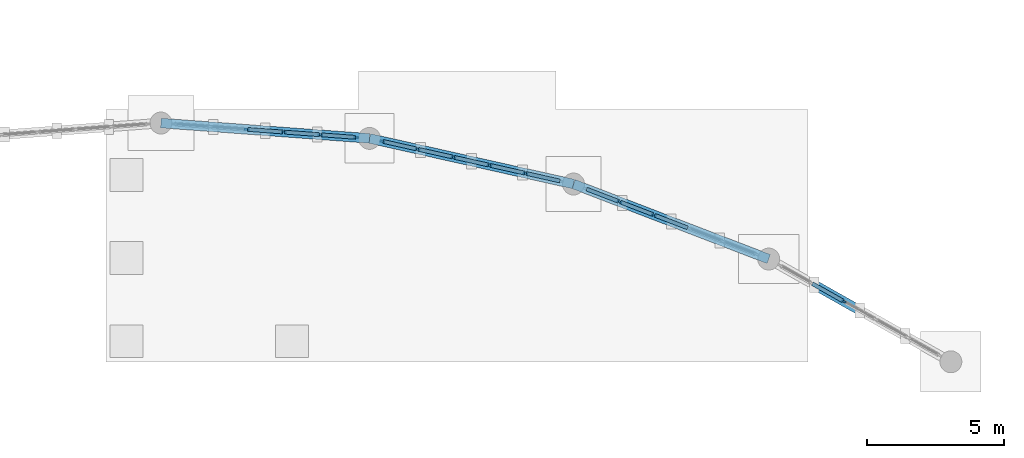
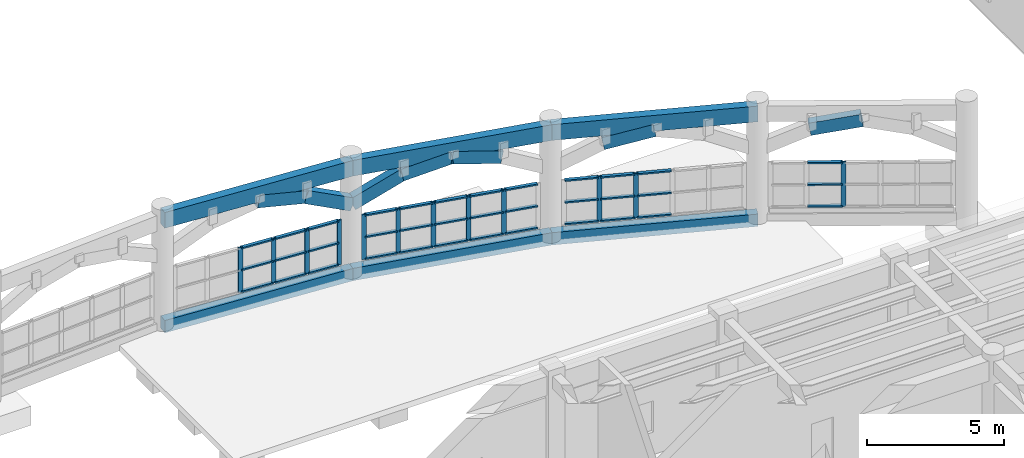
# One storey, part 32 of 100: 55 members, 6 beams, 4 elements without a shape of their own.
"""IFC4 building model written with IfcOpenShell, lengths in metres."""

from ifc_helpers import new_model, si_unit, direction, frame, origin, origin_2d, place, context, subcontext, project, spatial, rectangle, extrude, material, material_profile, profile_set, type_object, element, aggregate, save


model = new_model("IFC4")

# Units and contexts
model_context = context("Model", 3, precision=1e-05, world=origin(), true_north=direction((0.0, 1.0)))
body_context = subcontext(model_context, "Body", "Model", "MODEL_VIEW")
ifc_project = project(units=[si_unit("LENGTHUNIT", "METRE"), si_unit("AREAUNIT", "SQUARE_METRE"), si_unit("VOLUMEUNIT", "CUBIC_METRE"), si_unit("PLANEANGLEUNIT", "RADIAN"), si_unit("MASSUNIT", "GRAM", prefix="KILO")], contexts=[model_context])

# Site, building, storey
site_placement = place(None, origin())
site = spatial("IfcSite", under=ifc_project, at=site_placement, CompositionType="ELEMENT")
building_placement = place(site_placement, origin())
building = spatial("IfcBuilding", under=site, at=building_placement, Name="Mithqara Police Headquarters", CompositionType="ELEMENT")
storey_placement = place(building_placement, origin())
storey = spatial("IfcBuildingStorey", under=building, at=storey_placement, Name="L00", CompositionType="ELEMENT", Elevation=0.0)

# Members
ifc_material_1 = material(Name="Concrete C50/60", Category="concrete")
ifc_material_profile_1 = material_profile(ifc_material_1, rectangle(XDim=0.35009765625, YDim=0.550048828125, at=origin_2d()), Name="ARC 350x550")
ifc_profile_set_1 = profile_set([ifc_material_profile_1], Name="Concrete C50/60")
member_type_1 = type_object("IfcMemberType", Name="ARCH SEG 350X550", PredefinedType="STRUT", material=ifc_profile_set_1)
member_1_placement = place(storey_placement, frame((76.401611328125, 101.42431640625, 4.449951171875), z_axis=(0.977978805008, -0.071847402577, -0.195947461574), x_axis=(0.073267742061, 0.99731230714, 0.0)))
element("IfcMember", 1, at=member_1_placement, inside=storey, type_object=member_type_1, Name="Forecourt Colonnade Bay 5 Ottoman Arch Chord 3", PredefinedType="STRUT", context=body_context, shape_type="SweptSolid", body=[
    extrude(rectangle(XDim=0.35009765625, YDim=0.550048828125, at=origin_2d()), origin(), (0.0, 0.0, 1.0), 1.943603515625),
])
for number, where, z_axis, x_axis, name in (
    (2, (78.302490234375, 101.28466796875, 4.069091796875), (0.898306319308, -0.065994247964, -0.434385216054), (0.073267742061, 0.99731230714, 0.0), "Forecourt Colonnade Bay 5 Ottoman Arch Chord 4"),
    (3, (80.203369140625, 101.14501953125, 3.14990234375), (0.878970376857, -0.196724139215, 0.434408436449), (0.218408621026, 0.975857404676, 0.0), "Forecourt Colonnade Bay 6 Ottoman Arch Chord 1"),
):
    element("IfcMember", number, at=place(storey_placement, frame(where, z_axis=z_axis, x_axis=x_axis)), inside=storey, type_object=member_type_1, Name=name, PredefinedType="STRUT", context=body_context, shape_type="SweptSolid", body=[
        extrude(rectangle(XDim=0.35009765625, YDim=0.550048828125, at=origin_2d()), origin(), (0.0, 0.0, 1.0), 2.115966796875),
    ])
member_2_placement = place(storey_placement, frame((82.063232421875, 100.728759765625, 4.069091796875), z_axis=(0.956937397814, -0.214174095993, 0.195959876685), x_axis=(0.218408621026, 0.975857404676, 0.0)))
element("IfcMember", 4, at=member_2_placement, inside=storey, type_object=member_type_1, Name="Forecourt Colonnade Bay 6 Ottoman Arch Chord 2", PredefinedType="STRUT", context=body_context, shape_type="SweptSolid", body=[
    extrude(rectangle(XDim=0.35009765625, YDim=0.550048828125, at=origin_2d()), origin(), (0.0, 0.0, 1.0), 1.943603515625),
])
member_3_placement = place(storey_placement, frame((83.923095703125, 100.3125, 4.449951171875), z_axis=(0.956973714204, -0.21402850886, -0.195941592618), x_axis=(0.218259342229, 0.975890803077, 0.0)))
element("IfcMember", 5, at=member_3_placement, inside=storey, type_object=member_type_1, Name="Forecourt Colonnade Bay 6 Ottoman Arch Chord 3", PredefinedType="STRUT", context=body_context, shape_type="SweptSolid", body=[
    extrude(rectangle(XDim=0.35009765625, YDim=0.550048828125, at=origin_2d()), origin(), (0.0, 0.0, 1.0), 1.94384765625),
])
for number, where, z_axis, x_axis, name in (
    (6, (89.42236328125, 98.796630859375, 4.069091796875), (0.915362920353, -0.351724465073, 0.195960773398), (0.358678621144, 0.933461111528, 0.0), "Forecourt Colonnade Bay 7 Ottoman Arch Chord 2"),
    (7, (96.419921875, 95.809326171875, 4.069091796875), (0.854056117677, -0.481858989176, 0.195959338664), (0.491385969569, 0.870941920515, 0.0), "Forecourt Colonnade Bay 8 Ottoman Arch Chord 2"),
):
    element("IfcMember", number, at=place(storey_placement, frame(where, z_axis=z_axis, x_axis=x_axis)), inside=storey, type_object=member_type_1, Name=name, PredefinedType="STRUT", context=body_context, shape_type="SweptSolid", body=[
        extrude(rectangle(XDim=0.35009765625, YDim=0.550048828125, at=origin_2d()), origin(), (0.0, 0.0, 1.0), 1.943603515625),
    ])

# Beams
ifc_material_2 = material(Name="Concrete C40/50", Category="concrete")
ifc_material_profile_2 = material_profile(ifc_material_2, rectangle(XDim=0.35009765625, YDim=0.550048828125, at=origin_2d()), Name="RC 350x550")
ifc_profile_set_2 = profile_set([ifc_material_profile_2], Name="Concrete C40/50")
beam_type_1 = type_object("IfcBeamType", Name="BEAM RC350X550", PredefinedType="BEAM", material=ifc_profile_set_2)
beam_1_placement = place(storey_placement, frame((72.60009765625, 101.703857421875, 0.0400390625), z_axis=(0.997309794658, -0.07330193366, 0.0), x_axis=(0.07330193366, 0.997309794658, 0.0)))
element("IfcBeam", 8, at=beam_1_placement, inside=storey, type_object=beam_type_1, Name="Forecourt Colonnade Plinth Spandrel 5", PredefinedType="BEAM", context=body_context, shape_type="SweptSolid", body=[
    extrude(rectangle(XDim=0.35009765625, YDim=0.550048828125, at=origin_2d()), origin(), (0.0, 0.0, 1.0), 7.623779296875),
])
beam_2_placement = place(storey_placement, frame((80.203369140625, 101.14501953125, 0.0400390625), z_axis=(0.975867284048, -0.21836447496, 0.0), x_axis=(0.21836447496, 0.975867284048, 0.0)))
element("IfcBeam", 9, at=beam_2_placement, inside=storey, type_object=beam_type_1, Name="Forecourt Colonnade Plinth Spandrel 6", PredefinedType="BEAM", context=body_context, shape_type="SweptSolid", body=[
    extrude(rectangle(XDim=0.35009765625, YDim=0.550048828125, at=origin_2d()), origin(), (0.0, 0.0, 1.0), 7.6240234375),
])
beam_3_placement = place(storey_placement, frame((87.643310546875, 99.480224609375, 0.0400390625), z_axis=(0.933454509324, -0.358695802907, 0.0), x_axis=(0.358695802907, 0.933454509324, 0.0)))
element("IfcBeam", 10, at=beam_3_placement, inside=storey, type_object=beam_type_1, Name="Forecourt Colonnade Plinth Spandrel 7", PredefinedType="BEAM", context=body_context, shape_type="SweptSolid", body=[
    extrude(rectangle(XDim=0.35009765625, YDim=0.550048828125, at=origin_2d()), origin(), (0.0, 0.0, 1.0), 7.623779296875),
])

# Curtain wall, members
ifc_material_3 = material(Name="Bronze anodised aluminium 6063-T6", Category="aluminium")
curtain_wall_type = type_object("IfcCurtainWallType", Name="CURTAIN WALL 6725X2000", PredefinedType="USERDEFINED", material=ifc_material_3)
curtain_wall_1_placement = place(storey_placement, origin())
curtain_wall_1 = element("IfcCurtainWall", 11, at=curtain_wall_1_placement, inside=storey, type_object=curtain_wall_type, Name="L00 Unitised Glazing CW-11 (CW-ARC-L00-04-0)", ObjectType="UNITISED GLAZING", PredefinedType="USERDEFINED")
ifc_material_profile_3 = material_profile(ifc_material_3, rectangle(XDim=0.06494140625, YDim=0.179931640625, at=origin_2d()), Name="CWM 65x180")
ifc_profile_set_3 = profile_set([ifc_material_profile_3], Name="Bronze anodised aluminium 6063-T6")
member_type_2 = type_object("IfcMemberType", Name="CWMULLION 65X180", PredefinedType="MULLION", material=ifc_profile_set_3)
member_4_placement = place(storey_placement, frame((75.73095703125, 101.4736328125, 0.52001953125), z_axis=(0.0, 0.0, 1.0), x_axis=(0.073298163631, 0.997310071747, 0.0)))
member_4 = element("IfcMember", 12, at=member_4_placement, type_object=member_type_2, Name="CW-11 mullion 3", PredefinedType="MULLION", context=body_context, shape_type="SweptSolid", body=[
    extrude(rectangle(XDim=0.06494140625, YDim=0.179931640625, at=origin_2d()), origin(), (0.0, 0.0, 1.0), 2.0),
])
member_5_placement = place(storey_placement, frame((77.072265625, 101.375, 0.52001953125), z_axis=(0.0, 0.0, 1.0), x_axis=(0.073298163631, 0.997310071747, 0.0)))
member_5 = element("IfcMember", 13, at=member_5_placement, type_object=member_type_2, Name="CW-11 mullion 4", PredefinedType="MULLION", context=body_context, shape_type="SweptSolid", body=[
    extrude(rectangle(XDim=0.06494140625, YDim=0.179931640625, at=origin_2d()), origin(), (0.0, 0.0, 1.0), 2.0),
])
member_6_placement = place(storey_placement, frame((78.41357421875, 101.2763671875, 0.52001953125), z_axis=(0.0, 0.0, 1.0), x_axis=(0.073298163631, 0.997310071747, 0.0)))
member_6 = element("IfcMember", 14, at=member_6_placement, type_object=member_type_2, Name="CW-11 mullion 5", PredefinedType="MULLION", context=body_context, shape_type="SweptSolid", body=[
    extrude(rectangle(XDim=0.06494140625, YDim=0.179931640625, at=origin_2d()), origin(), (0.0, 0.0, 1.0), 2.0),
])
member_7_placement = place(storey_placement, frame((79.722412109375, 101.18017578125, 0.52001953125), z_axis=(0.0, 0.0, 1.0), x_axis=(0.073298163631, 0.997310071747, 0.0)))
member_7 = element("IfcMember", 15, at=member_7_placement, type_object=member_type_2, Name="CW-11 mullion 6", PredefinedType="MULLION", context=body_context, shape_type="SweptSolid", body=[
    extrude(rectangle(XDim=0.06494140625, YDim=0.179931640625, at=origin_2d()), origin(), (0.0, 0.0, 1.0), 2.0),
])

curtain_wall_2_placement = place(storey_placement, origin())
curtain_wall_2 = element("IfcCurtainWall", 16, at=curtain_wall_2_placement, inside=storey, type_object=curtain_wall_type, Name="L00 Unitised Glazing CW-11 (CW-ARC-L00-05-0)", ObjectType="UNITISED GLAZING", PredefinedType="USERDEFINED")
member_8_placement = place(storey_placement, frame((80.673828125, 101.03955078125, 0.52001953125), z_axis=(0.0, 0.0, 1.0), x_axis=(0.218334747306, 0.975873935567, 0.0)))
member_8 = element("IfcMember", 17, at=member_8_placement, type_object=member_type_2, Name="CW-11 mullion 1", PredefinedType="MULLION", context=body_context, shape_type="SweptSolid", body=[
    extrude(rectangle(XDim=0.06494140625, YDim=0.179931640625, at=origin_2d()), origin(), (0.0, 0.0, 1.0), 2.0),
])
member_9_placement = place(storey_placement, frame((81.95458984375, 100.753173828125, 0.52001953125), z_axis=(0.0, 0.0, 1.0), x_axis=(0.218334747306, 0.975873935567, 0.0)))
member_9 = element("IfcMember", 18, at=member_9_placement, type_object=member_type_2, Name="CW-11 mullion 2", PredefinedType="MULLION", context=body_context, shape_type="SweptSolid", body=[
    extrude(rectangle(XDim=0.06494140625, YDim=0.179931640625, at=origin_2d()), origin(), (0.0, 0.0, 1.0), 2.0),
])
member_10_placement = place(storey_placement, frame((83.26708984375, 100.45947265625, 0.52001953125), z_axis=(0.0, 0.0, 1.0), x_axis=(0.218334747306, 0.975873935567, 0.0)))
member_10 = element("IfcMember", 19, at=member_10_placement, type_object=member_type_2, Name="CW-11 mullion 3", PredefinedType="MULLION", context=body_context, shape_type="SweptSolid", body=[
    extrude(rectangle(XDim=0.06494140625, YDim=0.179931640625, at=origin_2d()), origin(), (0.0, 0.0, 1.0), 2.0),
])
member_11_placement = place(storey_placement, frame((84.57958984375, 100.165771484375, 0.52001953125), z_axis=(0.0, 0.0, 1.0), x_axis=(0.218334747306, 0.975873935567, 0.0)))
member_11 = element("IfcMember", 20, at=member_11_placement, type_object=member_type_2, Name="CW-11 mullion 4", PredefinedType="MULLION", context=body_context, shape_type="SweptSolid", body=[
    extrude(rectangle(XDim=0.06494140625, YDim=0.179931640625, at=origin_2d()), origin(), (0.0, 0.0, 1.0), 2.0),
])
member_12_placement = place(storey_placement, frame((85.891845703125, 99.8720703125, 0.52001953125), z_axis=(0.0, 0.0, 1.0), x_axis=(0.218334747306, 0.975873935567, 0.0)))
member_12 = element("IfcMember", 21, at=member_12_placement, type_object=member_type_2, Name="CW-11 mullion 5", PredefinedType="MULLION", context=body_context, shape_type="SweptSolid", body=[
    extrude(rectangle(XDim=0.06494140625, YDim=0.179931640625, at=origin_2d()), origin(), (0.0, 0.0, 1.0), 2.0),
])

curtain_wall_3_placement = place(storey_placement, origin())
curtain_wall_3 = element("IfcCurtainWall", 22, at=curtain_wall_3_placement, inside=storey, type_object=curtain_wall_type, Name="L00 Unitised Glazing CW-11 (CW-ARC-L00-06-0)", ObjectType="UNITISED GLAZING", PredefinedType="USERDEFINED")
member_13_placement = place(storey_placement, frame((89.318359375, 98.836669921875, 0.52001953125), z_axis=(0.0, 0.0, 1.0), x_axis=(0.358680114811, 0.933460537591, 0.0)))
member_13 = element("IfcMember", 23, at=member_13_placement, type_object=member_type_2, Name="CW-11 mullion 2", PredefinedType="MULLION", context=body_context, shape_type="SweptSolid", body=[
    extrude(rectangle(XDim=0.06494140625, YDim=0.179931640625, at=origin_2d()), origin(), (0.0, 0.0, 1.0), 2.0),
])
member_14_placement = place(storey_placement, frame((90.57373046875, 98.354248046875, 0.52001953125), z_axis=(0.0, 0.0, 1.0), x_axis=(0.358680114811, 0.933460537591, 0.0)))
member_14 = element("IfcMember", 24, at=member_14_placement, type_object=member_type_2, Name="CW-11 mullion 3", PredefinedType="MULLION", context=body_context, shape_type="SweptSolid", body=[
    extrude(rectangle(XDim=0.06494140625, YDim=0.179931640625, at=origin_2d()), origin(), (0.0, 0.0, 1.0), 2.0),
])

# Curtain wall, member
curtain_wall_4_placement = place(storey_placement, origin())
curtain_wall_4 = element("IfcCurtainWall", 25, at=curtain_wall_4_placement, inside=storey, type_object=curtain_wall_type, Name="L00 Unitised Glazing CW-11 (CW-ARC-L00-07-0)", ObjectType="UNITISED GLAZING", PredefinedType="USERDEFINED")
member_15_placement = place(storey_placement, frame((97.494140625, 95.203125, 0.52001953125), z_axis=(0.0, 0.0, 1.0), x_axis=(0.491315691036, 0.870981567969, 0.0)))
member_15 = element("IfcMember", 26, at=member_15_placement, type_object=member_type_2, Name="CW-11 mullion 3", PredefinedType="MULLION", context=body_context, shape_type="SweptSolid", body=[
    extrude(rectangle(XDim=0.06494140625, YDim=0.179931640625, at=origin_2d()), origin(), (0.0, 0.0, 1.0), 2.0),
])

# Member
ifc_material_profile_4 = material_profile(ifc_material_3, rectangle(XDim=0.139892578125, YDim=0.06494140625, at=origin_2d()), Name="CWT 140x65")
ifc_profile_set_4 = profile_set([ifc_material_profile_4], Name="Bronze anodised aluminium 6063-T6")
member_type_3 = type_object("IfcMemberType", Name="CWTRANSOM 140X65", PredefinedType="USERDEFINED", material=ifc_profile_set_4)
member_16_placement = place(storey_placement, frame((75.763427734375, 101.47119140625, 0.552490234375), z_axis=(0.997313366893, -0.073253315395, 0.0), x_axis=(0.073253315395, 0.997313366893, 0.0)))
member_16 = element("IfcMember", 27, at=member_16_placement, type_object=member_type_3, Name="CW-11 transom 3.1", ObjectType="TRANSOM", PredefinedType="USERDEFINED", context=body_context, shape_type="SweptSolid", body=[
    extrude(rectangle(XDim=0.139892578125, YDim=0.06494140625, at=origin_2d()), origin(), (0.0, 0.0, 1.0), 1.27978515625),
])

member_17_placement = place(storey_placement, frame((75.763427734375, 101.47119140625, 1.52001953125), z_axis=(0.997313366893, -0.073253315395, 0.0), x_axis=(0.073253315395, 0.997313366893, 0.0)))
member_17 = element("IfcMember", 28, at=member_17_placement, type_object=member_type_3, Name="CW-11 transom 3.2", ObjectType="TRANSOM", PredefinedType="USERDEFINED", context=body_context, shape_type="SweptSolid", body=[
    extrude(rectangle(XDim=0.139892578125, YDim=0.06494140625, at=origin_2d()), origin(), (0.0, 0.0, 1.0), 1.27978515625),
])

member_18_placement = place(storey_placement, frame((75.763427734375, 101.47119140625, 2.487548828125), z_axis=(0.997313366893, -0.073253315395, 0.0), x_axis=(0.073253315395, 0.997313366893, 0.0)))
member_18 = element("IfcMember", 29, at=member_18_placement, type_object=member_type_3, Name="CW-11 transom 3.3", ObjectType="TRANSOM", PredefinedType="USERDEFINED", context=body_context, shape_type="SweptSolid", body=[
    extrude(rectangle(XDim=0.139892578125, YDim=0.06494140625, at=origin_2d()), origin(), (0.0, 0.0, 1.0), 1.27978515625),
])

member_19_placement = place(storey_placement, frame((77.104736328125, 101.37255859375, 0.552490234375), z_axis=(0.997313366893, -0.073253315395, 0.0), x_axis=(0.073253315395, 0.997313366893, 0.0)))
member_19 = element("IfcMember", 30, at=member_19_placement, type_object=member_type_3, Name="CW-11 transom 4.1", ObjectType="TRANSOM", PredefinedType="USERDEFINED", context=body_context, shape_type="SweptSolid", body=[
    extrude(rectangle(XDim=0.139892578125, YDim=0.06494140625, at=origin_2d()), origin(), (0.0, 0.0, 1.0), 1.27978515625),
])

member_20_placement = place(storey_placement, frame((77.104736328125, 101.37255859375, 1.52001953125), z_axis=(0.997313366893, -0.073253315395, 0.0), x_axis=(0.073253315395, 0.997313366893, 0.0)))
member_20 = element("IfcMember", 31, at=member_20_placement, type_object=member_type_3, Name="CW-11 transom 4.2", ObjectType="TRANSOM", PredefinedType="USERDEFINED", context=body_context, shape_type="SweptSolid", body=[
    extrude(rectangle(XDim=0.139892578125, YDim=0.06494140625, at=origin_2d()), origin(), (0.0, 0.0, 1.0), 1.27978515625),
])

member_21_placement = place(storey_placement, frame((77.104736328125, 101.37255859375, 2.487548828125), z_axis=(0.997313366893, -0.073253315395, 0.0), x_axis=(0.073253315395, 0.997313366893, 0.0)))
member_21 = element("IfcMember", 32, at=member_21_placement, type_object=member_type_3, Name="CW-11 transom 4.3", ObjectType="TRANSOM", PredefinedType="USERDEFINED", context=body_context, shape_type="SweptSolid", body=[
    extrude(rectangle(XDim=0.139892578125, YDim=0.06494140625, at=origin_2d()), origin(), (0.0, 0.0, 1.0), 1.27978515625),
])

member_22_placement = place(storey_placement, frame((78.446044921875, 101.274169921875, 0.552490234375), z_axis=(0.997303414071, -0.073388693147, 0.0), x_axis=(0.073388693147, 0.997303414071, 0.0)))
member_22 = element("IfcMember", 33, at=member_22_placement, type_object=member_type_3, Name="CW-11 transom 5.1", ObjectType="TRANSOM", PredefinedType="USERDEFINED", context=body_context, shape_type="SweptSolid", body=[
    extrude(rectangle(XDim=0.139892578125, YDim=0.06494140625, at=origin_2d()), origin(), (0.0, 0.0, 1.0), 1.24755859375),
])

member_23_placement = place(storey_placement, frame((78.446044921875, 101.274169921875, 1.52001953125), z_axis=(0.997303414071, -0.073388693147, 0.0), x_axis=(0.073388693147, 0.997303414071, 0.0)))
member_23 = element("IfcMember", 34, at=member_23_placement, type_object=member_type_3, Name="CW-11 transom 5.2", ObjectType="TRANSOM", PredefinedType="USERDEFINED", context=body_context, shape_type="SweptSolid", body=[
    extrude(rectangle(XDim=0.139892578125, YDim=0.06494140625, at=origin_2d()), origin(), (0.0, 0.0, 1.0), 1.24755859375),
])

member_24_placement = place(storey_placement, frame((78.446044921875, 101.274169921875, 2.487548828125), z_axis=(0.997303414071, -0.073388693147, 0.0), x_axis=(0.073388693147, 0.997303414071, 0.0)))
member_24 = element("IfcMember", 35, at=member_24_placement, type_object=member_type_3, Name="CW-11 transom 5.3", ObjectType="TRANSOM", PredefinedType="USERDEFINED", context=body_context, shape_type="SweptSolid", body=[
    extrude(rectangle(XDim=0.139892578125, YDim=0.06494140625, at=origin_2d()), origin(), (0.0, 0.0, 1.0), 1.24755859375),
])

aggregate(curtain_wall_1, [member_4, member_5, member_6, member_7, member_16, member_17, member_18, member_19, member_20, member_21, member_22, member_23, member_24])

member_25_placement = place(storey_placement, frame((80.70556640625, 101.032470703125, 0.552490234375), z_axis=(0.975896050217, -0.218235879661, 0.0), x_axis=(0.218235879661, 0.975896050217, 0.0)))
member_25 = element("IfcMember", 36, at=member_25_placement, type_object=member_type_3, Name="CW-11 transom 1.1", ObjectType="TRANSOM", PredefinedType="USERDEFINED", context=body_context, shape_type="SweptSolid", body=[
    extrude(rectangle(XDim=0.139892578125, YDim=0.06494140625, at=origin_2d()), origin(), (0.0, 0.0, 1.0), 1.247314453125),
])

member_26_placement = place(storey_placement, frame((80.70556640625, 101.032470703125, 1.52001953125), z_axis=(0.975896050217, -0.218235879661, 0.0), x_axis=(0.218235879661, 0.975896050217, 0.0)))
member_26 = element("IfcMember", 37, at=member_26_placement, type_object=member_type_3, Name="CW-11 transom 1.2", ObjectType="TRANSOM", PredefinedType="USERDEFINED", context=body_context, shape_type="SweptSolid", body=[
    extrude(rectangle(XDim=0.139892578125, YDim=0.06494140625, at=origin_2d()), origin(), (0.0, 0.0, 1.0), 1.247314453125),
])

member_27_placement = place(storey_placement, frame((80.70556640625, 101.032470703125, 2.487548828125), z_axis=(0.975896050217, -0.218235879661, 0.0), x_axis=(0.218235879661, 0.975896050217, 0.0)))
member_27 = element("IfcMember", 38, at=member_27_placement, type_object=member_type_3, Name="CW-11 transom 1.3", ObjectType="TRANSOM", PredefinedType="USERDEFINED", context=body_context, shape_type="SweptSolid", body=[
    extrude(rectangle(XDim=0.139892578125, YDim=0.06494140625, at=origin_2d()), origin(), (0.0, 0.0, 1.0), 1.247314453125),
])

member_28_placement = place(storey_placement, frame((81.986328125, 100.745849609375, 0.552490234375), z_axis=(0.975898950823, -0.218222908472, 0.0), x_axis=(0.218222908472, 0.975898950823, 0.0)))
member_28 = element("IfcMember", 39, at=member_28_placement, type_object=member_type_3, Name="CW-11 transom 2.1", ObjectType="TRANSOM", PredefinedType="USERDEFINED", context=body_context, shape_type="SweptSolid", body=[
    extrude(rectangle(XDim=0.139892578125, YDim=0.06494140625, at=origin_2d()), origin(), (0.0, 0.0, 1.0), 1.27978515625),
])

member_29_placement = place(storey_placement, frame((81.986328125, 100.745849609375, 1.52001953125), z_axis=(0.975898950823, -0.218222908472, 0.0), x_axis=(0.218222908472, 0.975898950823, 0.0)))
member_29 = element("IfcMember", 40, at=member_29_placement, type_object=member_type_3, Name="CW-11 transom 2.2", ObjectType="TRANSOM", PredefinedType="USERDEFINED", context=body_context, shape_type="SweptSolid", body=[
    extrude(rectangle(XDim=0.139892578125, YDim=0.06494140625, at=origin_2d()), origin(), (0.0, 0.0, 1.0), 1.27978515625),
])

member_30_placement = place(storey_placement, frame((81.986328125, 100.745849609375, 2.487548828125), z_axis=(0.975898950823, -0.218222908472, 0.0), x_axis=(0.218222908472, 0.975898950823, 0.0)))
member_30 = element("IfcMember", 41, at=member_30_placement, type_object=member_type_3, Name="CW-11 transom 2.3", ObjectType="TRANSOM", PredefinedType="USERDEFINED", context=body_context, shape_type="SweptSolid", body=[
    extrude(rectangle(XDim=0.139892578125, YDim=0.06494140625, at=origin_2d()), origin(), (0.0, 0.0, 1.0), 1.27978515625),
])

member_31_placement = place(storey_placement, frame((83.298828125, 100.452392578125, 0.552490234375), z_axis=(0.975858311904, -0.218404567461, 0.0), x_axis=(0.218404567461, 0.975858311904, 0.0)))
member_31 = element("IfcMember", 42, at=member_31_placement, type_object=member_type_3, Name="CW-11 transom 3.1", ObjectType="TRANSOM", PredefinedType="USERDEFINED", context=body_context, shape_type="SweptSolid", body=[
    extrude(rectangle(XDim=0.139892578125, YDim=0.06494140625, at=origin_2d()), origin(), (0.0, 0.0, 1.0), 1.280029296875),
])

member_32_placement = place(storey_placement, frame((83.298828125, 100.452392578125, 1.52001953125), z_axis=(0.975858311904, -0.218404567461, 0.0), x_axis=(0.218404567461, 0.975858311904, 0.0)))
member_32 = element("IfcMember", 43, at=member_32_placement, type_object=member_type_3, Name="CW-11 transom 3.2", ObjectType="TRANSOM", PredefinedType="USERDEFINED", context=body_context, shape_type="SweptSolid", body=[
    extrude(rectangle(XDim=0.139892578125, YDim=0.06494140625, at=origin_2d()), origin(), (0.0, 0.0, 1.0), 1.280029296875),
])

member_33_placement = place(storey_placement, frame((83.298828125, 100.452392578125, 2.487548828125), z_axis=(0.975858311904, -0.218404567461, 0.0), x_axis=(0.218404567461, 0.975858311904, 0.0)))
member_33 = element("IfcMember", 44, at=member_33_placement, type_object=member_type_3, Name="CW-11 transom 3.3", ObjectType="TRANSOM", PredefinedType="USERDEFINED", context=body_context, shape_type="SweptSolid", body=[
    extrude(rectangle(XDim=0.139892578125, YDim=0.06494140625, at=origin_2d()), origin(), (0.0, 0.0, 1.0), 1.280029296875),
])

member_34_placement = place(storey_placement, frame((84.611083984375, 100.15869140625, 0.552490234375), z_axis=(0.975858311904, -0.218404567461, 0.0), x_axis=(0.218404567461, 0.975858311904, 0.0)))
member_34 = element("IfcMember", 45, at=member_34_placement, type_object=member_type_3, Name="CW-11 transom 4.1", ObjectType="TRANSOM", PredefinedType="USERDEFINED", context=body_context, shape_type="SweptSolid", body=[
    extrude(rectangle(XDim=0.139892578125, YDim=0.06494140625, at=origin_2d()), origin(), (0.0, 0.0, 1.0), 1.280029296875),
])

member_35_placement = place(storey_placement, frame((84.611083984375, 100.15869140625, 1.52001953125), z_axis=(0.975858311904, -0.218404567461, 0.0), x_axis=(0.218404567461, 0.975858311904, 0.0)))
member_35 = element("IfcMember", 46, at=member_35_placement, type_object=member_type_3, Name="CW-11 transom 4.2", ObjectType="TRANSOM", PredefinedType="USERDEFINED", context=body_context, shape_type="SweptSolid", body=[
    extrude(rectangle(XDim=0.139892578125, YDim=0.06494140625, at=origin_2d()), origin(), (0.0, 0.0, 1.0), 1.280029296875),
])

member_36_placement = place(storey_placement, frame((84.611083984375, 100.15869140625, 2.487548828125), z_axis=(0.975858311904, -0.218404567461, 0.0), x_axis=(0.218404567461, 0.975858311904, 0.0)))
member_36 = element("IfcMember", 47, at=member_36_placement, type_object=member_type_3, Name="CW-11 transom 4.3", ObjectType="TRANSOM", PredefinedType="USERDEFINED", context=body_context, shape_type="SweptSolid", body=[
    extrude(rectangle(XDim=0.139892578125, YDim=0.06494140625, at=origin_2d()), origin(), (0.0, 0.0, 1.0), 1.280029296875),
])

member_37_placement = place(storey_placement, frame((85.923583984375, 99.864990234375, 0.552490234375), z_axis=(0.975896050217, -0.218235879661, 0.0), x_axis=(0.218235879661, 0.975896050217, 0.0)))
member_37 = element("IfcMember", 48, at=member_37_placement, type_object=member_type_3, Name="CW-11 transom 5.1", ObjectType="TRANSOM", PredefinedType="USERDEFINED", context=body_context, shape_type="SweptSolid", body=[
    extrude(rectangle(XDim=0.139892578125, YDim=0.06494140625, at=origin_2d()), origin(), (0.0, 0.0, 1.0), 1.247314453125),
])

member_38_placement = place(storey_placement, frame((85.923583984375, 99.864990234375, 1.52001953125), z_axis=(0.975896050217, -0.218235879661, 0.0), x_axis=(0.218235879661, 0.975896050217, 0.0)))
member_38 = element("IfcMember", 49, at=member_38_placement, type_object=member_type_3, Name="CW-11 transom 5.2", ObjectType="TRANSOM", PredefinedType="USERDEFINED", context=body_context, shape_type="SweptSolid", body=[
    extrude(rectangle(XDim=0.139892578125, YDim=0.06494140625, at=origin_2d()), origin(), (0.0, 0.0, 1.0), 1.247314453125),
])

member_39_placement = place(storey_placement, frame((85.923583984375, 99.864990234375, 2.487548828125), z_axis=(0.975896050217, -0.218235879661, 0.0), x_axis=(0.218235879661, 0.975896050217, 0.0)))
member_39 = element("IfcMember", 50, at=member_39_placement, type_object=member_type_3, Name="CW-11 transom 5.3", ObjectType="TRANSOM", PredefinedType="USERDEFINED", context=body_context, shape_type="SweptSolid", body=[
    extrude(rectangle(XDim=0.139892578125, YDim=0.06494140625, at=origin_2d()), origin(), (0.0, 0.0, 1.0), 1.247314453125),
])

aggregate(curtain_wall_2, [member_8, member_9, member_10, member_11, member_12, member_25, member_26, member_27, member_28, member_29, member_30, member_31, member_32, member_33, member_34, member_35, member_36, member_37, member_38, member_39])

member_40_placement = place(storey_placement, frame((88.12353515625, 99.295654296875, 0.552490234375), z_axis=(0.933451481424, -0.358703682484, 0.0), x_axis=(0.358703682484, 0.933451481424, 0.0)))
member_40 = element("IfcMember", 51, at=member_40_placement, type_object=member_type_3, Name="CW-11 transom 1.1", ObjectType="TRANSOM", PredefinedType="USERDEFINED", context=body_context, shape_type="SweptSolid", body=[
    extrude(rectangle(XDim=0.139892578125, YDim=0.06494140625, at=origin_2d()), origin(), (0.0, 0.0, 1.0), 1.24755859375),
])

member_41_placement = place(storey_placement, frame((88.12353515625, 99.295654296875, 1.52001953125), z_axis=(0.933451481424, -0.358703682484, 0.0), x_axis=(0.358703682484, 0.933451481424, 0.0)))
member_41 = element("IfcMember", 52, at=member_41_placement, type_object=member_type_3, Name="CW-11 transom 1.2", ObjectType="TRANSOM", PredefinedType="USERDEFINED", context=body_context, shape_type="SweptSolid", body=[
    extrude(rectangle(XDim=0.139892578125, YDim=0.06494140625, at=origin_2d()), origin(), (0.0, 0.0, 1.0), 1.24755859375),
])

member_42_placement = place(storey_placement, frame((88.12353515625, 99.295654296875, 2.487548828125), z_axis=(0.933451481424, -0.358703682484, 0.0), x_axis=(0.358703682484, 0.933451481424, 0.0)))
member_42 = element("IfcMember", 53, at=member_42_placement, type_object=member_type_3, Name="CW-11 transom 1.3", ObjectType="TRANSOM", PredefinedType="USERDEFINED", context=body_context, shape_type="SweptSolid", body=[
    extrude(rectangle(XDim=0.139892578125, YDim=0.06494140625, at=origin_2d()), origin(), (0.0, 0.0, 1.0), 1.24755859375),
])

member_43_placement = place(storey_placement, frame((89.3486328125, 98.824951171875, 0.552490234375), z_axis=(0.933493008626, -0.358595597919, 0.0), x_axis=(0.358595597919, 0.933493008626, 0.0)))
member_43 = element("IfcMember", 54, at=member_43_placement, type_object=member_type_3, Name="CW-11 transom 2.1", ObjectType="TRANSOM", PredefinedType="USERDEFINED", context=body_context, shape_type="SweptSolid", body=[
    extrude(rectangle(XDim=0.139892578125, YDim=0.06494140625, at=origin_2d()), origin(), (0.0, 0.0, 1.0), 1.280029296875),
])

member_44_placement = place(storey_placement, frame((89.3486328125, 98.824951171875, 1.52001953125), z_axis=(0.933493008626, -0.358595597919, 0.0), x_axis=(0.358595597919, 0.933493008626, 0.0)))
member_44 = element("IfcMember", 55, at=member_44_placement, type_object=member_type_3, Name="CW-11 transom 2.2", ObjectType="TRANSOM", PredefinedType="USERDEFINED", context=body_context, shape_type="SweptSolid", body=[
    extrude(rectangle(XDim=0.139892578125, YDim=0.06494140625, at=origin_2d()), origin(), (0.0, 0.0, 1.0), 1.280029296875),
])

member_45_placement = place(storey_placement, frame((89.3486328125, 98.824951171875, 2.487548828125), z_axis=(0.933493008626, -0.358595597919, 0.0), x_axis=(0.358595597919, 0.933493008626, 0.0)))
member_45 = element("IfcMember", 56, at=member_45_placement, type_object=member_type_3, Name="CW-11 transom 2.3", ObjectType="TRANSOM", PredefinedType="USERDEFINED", context=body_context, shape_type="SweptSolid", body=[
    extrude(rectangle(XDim=0.139892578125, YDim=0.06494140625, at=origin_2d()), origin(), (0.0, 0.0, 1.0), 1.280029296875),
])

member_46_placement = place(storey_placement, frame((90.60400390625, 98.342529296875, 0.552490234375), z_axis=(0.933493008626, -0.358595597919, 0.0), x_axis=(0.358595597919, 0.933493008626, 0.0)))
member_46 = element("IfcMember", 57, at=member_46_placement, type_object=member_type_3, Name="CW-11 transom 3.1", ObjectType="TRANSOM", PredefinedType="USERDEFINED", context=body_context, shape_type="SweptSolid", body=[
    extrude(rectangle(XDim=0.139892578125, YDim=0.06494140625, at=origin_2d()), origin(), (0.0, 0.0, 1.0), 1.280029296875),
])

member_47_placement = place(storey_placement, frame((90.60400390625, 98.342529296875, 1.52001953125), z_axis=(0.933493008626, -0.358595597919, 0.0), x_axis=(0.358595597919, 0.933493008626, 0.0)))
member_47 = element("IfcMember", 58, at=member_47_placement, type_object=member_type_3, Name="CW-11 transom 3.2", ObjectType="TRANSOM", PredefinedType="USERDEFINED", context=body_context, shape_type="SweptSolid", body=[
    extrude(rectangle(XDim=0.139892578125, YDim=0.06494140625, at=origin_2d()), origin(), (0.0, 0.0, 1.0), 1.280029296875),
])

member_48_placement = place(storey_placement, frame((90.60400390625, 98.342529296875, 2.487548828125), z_axis=(0.933493008626, -0.358595597919, 0.0), x_axis=(0.358595597919, 0.933493008626, 0.0)))
member_48 = element("IfcMember", 59, at=member_48_placement, type_object=member_type_3, Name="CW-11 transom 3.3", ObjectType="TRANSOM", PredefinedType="USERDEFINED", context=body_context, shape_type="SweptSolid", body=[
    extrude(rectangle(XDim=0.139892578125, YDim=0.06494140625, at=origin_2d()), origin(), (0.0, 0.0, 1.0), 1.280029296875),
])

aggregate(curtain_wall_3, [member_13, member_14, member_40, member_41, member_42, member_43, member_44, member_45, member_46, member_47, member_48])

member_49_placement = place(storey_placement, frame((96.35107421875, 95.84814453125, 0.552490234375), z_axis=(0.870953350717, -0.49136570991, 0.0), x_axis=(0.49136570991, 0.870953350717, 0.0)))
member_49 = element("IfcMember", 60, at=member_49_placement, type_object=member_type_3, Name="CW-11 transom 2.1", ObjectType="TRANSOM", PredefinedType="USERDEFINED", context=body_context, shape_type="SweptSolid", body=[
    extrude(rectangle(XDim=0.139892578125, YDim=0.06494140625, at=origin_2d()), origin(), (0.0, 0.0, 1.0), 1.280029296875),
])

member_50_placement = place(storey_placement, frame((96.35107421875, 95.84814453125, 1.52001953125), z_axis=(0.870953350717, -0.49136570991, 0.0), x_axis=(0.49136570991, 0.870953350717, 0.0)))
member_50 = element("IfcMember", 61, at=member_50_placement, type_object=member_type_3, Name="CW-11 transom 2.2", ObjectType="TRANSOM", PredefinedType="USERDEFINED", context=body_context, shape_type="SweptSolid", body=[
    extrude(rectangle(XDim=0.139892578125, YDim=0.06494140625, at=origin_2d()), origin(), (0.0, 0.0, 1.0), 1.280029296875),
])

member_51_placement = place(storey_placement, frame((96.35107421875, 95.84814453125, 2.487548828125), z_axis=(0.870953350717, -0.49136570991, 0.0), x_axis=(0.49136570991, 0.870953350717, 0.0)))
member_51 = element("IfcMember", 62, at=member_51_placement, type_object=member_type_3, Name="CW-11 transom 2.3", ObjectType="TRANSOM", PredefinedType="USERDEFINED", context=body_context, shape_type="SweptSolid", body=[
    extrude(rectangle(XDim=0.139892578125, YDim=0.06494140625, at=origin_2d()), origin(), (0.0, 0.0, 1.0), 1.280029296875),
])

aggregate(curtain_wall_4, [member_15, member_49, member_50, member_51])

# Beams
ifc_material_profile_5 = material_profile(ifc_material_2, rectangle(XDim=0.35009765625, YDim=0.699951171875, at=origin_2d()), Name="SPB 350x700")
ifc_profile_set_5 = profile_set([ifc_material_profile_5], Name="Concrete C40/50")
beam_type_2 = type_object("IfcBeamType", Name="SPANDREL 350X700", PredefinedType="SPANDREL", material=ifc_profile_set_5)
beam_4_placement = place(storey_placement, frame((72.60009765625, 101.703857421875, 4.77001953125), z_axis=(0.997309794658, -0.07330193366, 0.0), x_axis=(0.07330193366, 0.997309794658, 0.0)))
element("IfcBeam", 63, at=beam_4_placement, inside=storey, type_object=beam_type_2, Name="L00 Swept Arcade Ring Spandrel 5", PredefinedType="SPANDREL", context=body_context, shape_type="SweptSolid", body=[
    extrude(rectangle(XDim=0.35009765625, YDim=0.699951171875, at=origin_2d()), origin(), (0.0, 0.0, 1.0), 7.623779296875),
])
beam_5_placement = place(storey_placement, frame((80.203369140625, 101.14501953125, 4.77001953125), z_axis=(0.975867284048, -0.21836447496, 0.0), x_axis=(0.21836447496, 0.975867284048, 0.0)))
element("IfcBeam", 64, at=beam_5_placement, inside=storey, type_object=beam_type_2, Name="L00 Swept Arcade Ring Spandrel 6", PredefinedType="SPANDREL", context=body_context, shape_type="SweptSolid", body=[
    extrude(rectangle(XDim=0.35009765625, YDim=0.699951171875, at=origin_2d()), origin(), (0.0, 0.0, 1.0), 7.6240234375),
])
beam_6_placement = place(storey_placement, frame((87.643310546875, 99.480224609375, 4.77001953125), z_axis=(0.933454509324, -0.358695802907, 0.0), x_axis=(0.358695802907, 0.933454509324, 0.0)))
element("IfcBeam", 65, at=beam_6_placement, inside=storey, type_object=beam_type_2, Name="L00 Swept Arcade Ring Spandrel 7", PredefinedType="SPANDREL", context=body_context, shape_type="SweptSolid", body=[
    extrude(rectangle(XDim=0.35009765625, YDim=0.699951171875, at=origin_2d()), origin(), (0.0, 0.0, 1.0), 7.623779296875),
])

save(model, "model.ifc")
